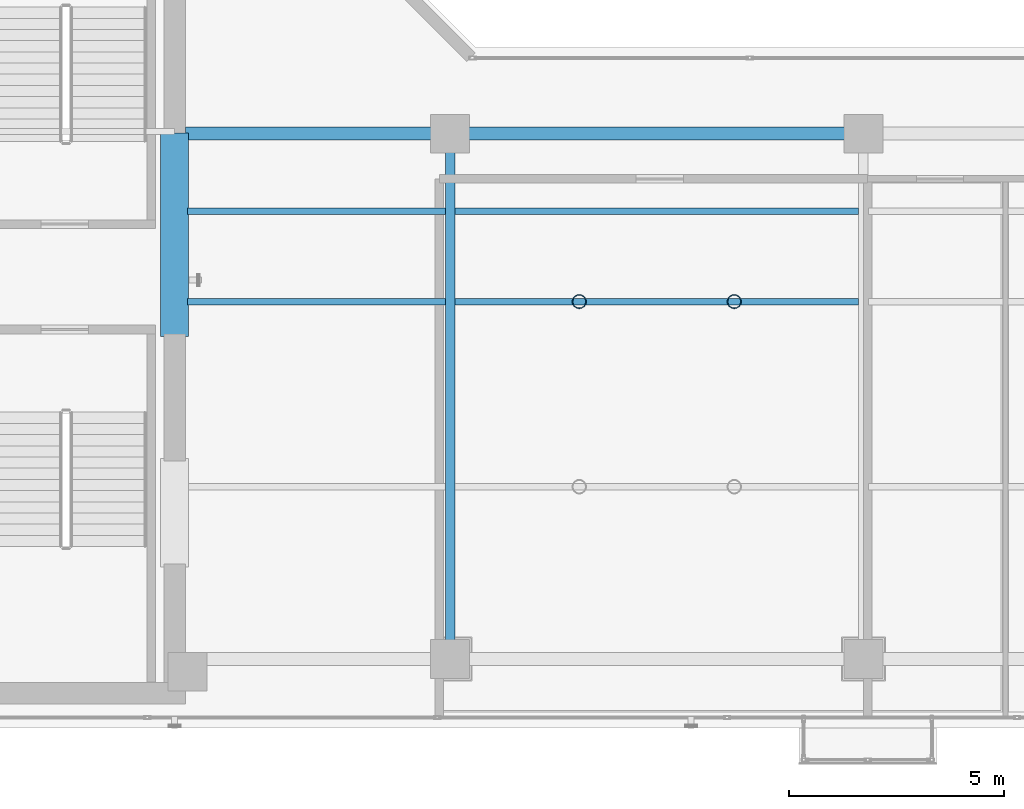
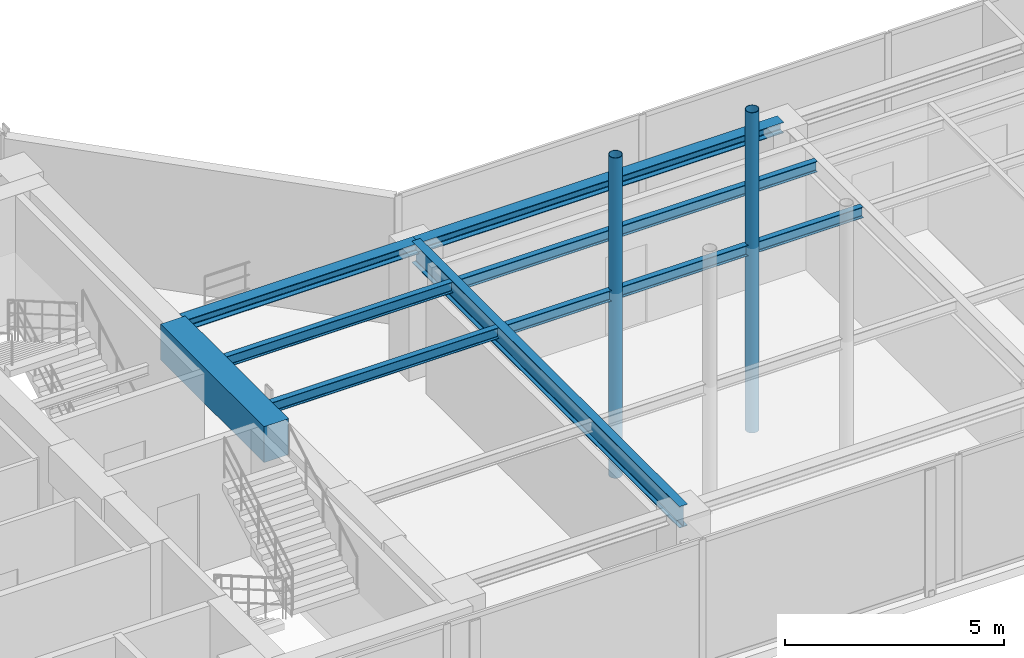
# One storey, part 8 of 32: 8 beams, 2 members.
"""IFC4 building model written with IfcOpenShell, lengths in metres."""

from ifc_helpers import new_model, si_unit, direction, frame, origin, origin_2d, place, context, subcontext, project, spatial, rectangle, hollow_circle, i_section, extrude, material, material_profile, profile_set, type_object, element, save


model = new_model("IFC4")

# Units and contexts
model_context = context("Model", 3, precision=1e-05, world=origin(), true_north=direction((0.0, 1.0)))
body_context = subcontext(model_context, "Body", "Model", "MODEL_VIEW")
ifc_project = project(units=[si_unit("LENGTHUNIT", "METRE"), si_unit("AREAUNIT", "SQUARE_METRE"), si_unit("VOLUMEUNIT", "CUBIC_METRE"), si_unit("PLANEANGLEUNIT", "RADIAN"), si_unit("MASSUNIT", "GRAM", prefix="KILO")], contexts=[model_context])

# Site, building, storey
site_placement = place(None, origin())
site = spatial("IfcSite", under=ifc_project, at=site_placement, CompositionType="ELEMENT")
building_placement = place(site_placement, origin())
building = spatial("IfcBuilding", under=site, at=building_placement, Name="Kolvaren Waterfront Exchange", CompositionType="ELEMENT")
storey_placement = place(building_placement, frame((0.0, 0.0, 348.10009765625)))
storey = spatial("IfcBuildingStorey", under=building, at=storey_placement, Name="L89", CompositionType="ELEMENT", Elevation=348.10009765625)

# Beams
ifc_material_1 = material(Name="Steel S355", Category="steel")
ifc_material_profile_1 = material_profile(ifc_material_1, i_section(OverallWidth=0.300048828125, OverallDepth=0.300048828125, WebThickness=0.010986328125, FlangeThickness=0.01904296875, FilletRadius=0.027099609375, at=origin_2d()), Name="HEB300")
ifc_profile_set_1 = profile_set([ifc_material_profile_1], Name="Steel S355")
beam_type_1 = type_object("IfcBeamType", Name="STR-BM-HEB300", PredefinedType="SPANDREL", material=ifc_profile_set_1)
beam_1_placement = place(storey_placement, frame((21.050048828125, 17.39990234375, 3.369873046875), z_axis=(1.0, 0.0, 0.0), x_axis=(0.0, 1.0, 0.0)))
element("IfcBeam", 1, at=beam_1_placement, inside=storey, type_object=beam_type_1, Name="L89 east-arm spandrel N1", PredefinedType="SPANDREL", context=body_context, shape_type="SweptSolid", body=[
    extrude(i_section(OverallWidth=0.300048828125, OverallDepth=0.300048828125, WebThickness=0.010986328125, FlangeThickness=0.01904296875, FilletRadius=0.027099609375, at=origin_2d()), origin(), (0.0, 0.0, 1.0), 6.14990234375),
])
beam_2_placement = place(storey_placement, frame((27.199951171875, 17.39990234375, 3.369873046875), z_axis=(1.0, 0.0, 0.0), x_axis=(0.0, 1.0, 0.0)))
element("IfcBeam", 2, at=beam_2_placement, inside=storey, type_object=beam_type_1, Name="L89 east-arm spandrel N2", PredefinedType="SPANDREL", context=body_context, shape_type="SweptSolid", body=[
    extrude(i_section(OverallWidth=0.300048828125, OverallDepth=0.300048828125, WebThickness=0.010986328125, FlangeThickness=0.01904296875, FilletRadius=0.027099609375, at=origin_2d()), origin(), (0.0, 0.0, 1.0), 9.60009765625),
])
ifc_material_profile_2 = material_profile(ifc_material_1, i_section(OverallWidth=0.14990234375, OverallDepth=0.300048828125, WebThickness=0.007080078125, FlangeThickness=0.0107421875, FilletRadius=0.014892578125, at=origin_2d()), Name="IPE300")
ifc_profile_set_2 = profile_set([ifc_material_profile_2], Name="Steel S355")
beam_type_2 = type_object("IfcBeamType", Name="STR-BM-IPE300", PredefinedType="JOIST", material=ifc_profile_set_2)
for number, where, z_axis, x_axis, name in (
    (3, (21.10009765625, 13.5, 3.369873046875), (1.0, 0.0, 0.0), (0.0, 1.0, 0.0), "L89 east-arm composite joist 1A"),
    (4, (21.10009765625, 15.60009765625, 3.369873046875), (1.0, 0.0, 0.0), (0.0, 1.0, 0.0), "L89 east-arm composite joist 1C"),
):
    element("IfcBeam", number, at=place(storey_placement, frame(where, z_axis=z_axis, x_axis=x_axis)), inside=storey, type_object=beam_type_2, Name=name, PredefinedType="JOIST", context=body_context, shape_type="SweptSolid", body=[
        extrude(i_section(OverallWidth=0.14990234375, OverallDepth=0.300048828125, WebThickness=0.007080078125, FlangeThickness=0.0107421875, FilletRadius=0.014892578125, at=origin_2d()), origin(), (0.0, 0.0, 1.0), 5.98779296875),
    ])
for number, where, z_axis, x_axis, name in (
    (5, (27.31201171875, 13.5, 3.369873046875), (1.0, 0.0, 0.0), (0.0, 1.0, 0.0), "L89 east-arm composite joist 2A"),
    (6, (27.31201171875, 15.60009765625, 3.369873046875), (1.0, 0.0, 0.0), (0.0, 1.0, 0.0), "L89 east-arm composite joist 2C"),
):
    element("IfcBeam", number, at=place(storey_placement, frame(where, z_axis=z_axis, x_axis=x_axis)), inside=storey, type_object=beam_type_2, Name=name, PredefinedType="JOIST", context=body_context, shape_type="SweptSolid", body=[
        extrude(i_section(OverallWidth=0.14990234375, OverallDepth=0.300048828125, WebThickness=0.007080078125, FlangeThickness=0.0107421875, FilletRadius=0.014892578125, at=origin_2d()), origin(), (0.0, 0.0, 1.0), 9.3759765625),
    ])
ifc_material_profile_3 = material_profile(ifc_material_1, i_section(OverallWidth=0.219970703125, OverallDepth=0.60009765625, WebThickness=0.011962890625, FlangeThickness=0.01904296875, FilletRadius=0.02392578125, at=origin_2d()), Name="IPE600")
ifc_profile_set_3 = profile_set([ifc_material_profile_3], Name="Steel S355")
beam_type_3 = type_object("IfcBeamType", Name="STR-BM-IPE600", PredefinedType="BEAM", material=ifc_profile_set_3)
beam_3_placement = place(storey_placement, frame((27.199951171875, 5.199951171875, 3.219970703125), z_axis=(0.0, 1.0, 0.0), x_axis=(-1.0, 0.0, 0.0)))
element("IfcBeam", 7, at=beam_3_placement, inside=storey, type_object=beam_type_3, Name="L89 east-arm transverse girder X27", PredefinedType="BEAM", context=body_context, shape_type="SweptSolid", body=[
    extrude(i_section(OverallWidth=0.219970703125, OverallDepth=0.60009765625, WebThickness=0.011962890625, FlangeThickness=0.01904296875, FilletRadius=0.02392578125, at=origin_2d()), origin(), (0.0, 0.0, 1.0), 12.199951171875),
])
ifc_material_2 = material(Name="Concrete C60/75", Category="concrete")
ifc_material_profile_4 = material_profile(ifc_material_2, rectangle(XDim=0.64990234375, YDim=1.0, at=origin_2d()), Name="RC-CB-1000x650")
ifc_profile_set_4 = profile_set([ifc_material_profile_4], Name="Concrete C60/75")
beam_type_4 = type_object("IfcBeamType", Name="STR-CB-1000", PredefinedType="SPANDREL", material=ifc_profile_set_4)
beam_4_placement = place(storey_placement, frame((20.800048828125, 12.68994140625, 3.02001953125), z_axis=(0.0, 1.0, 0.0), x_axis=(-1.0, 0.0, 0.0)))
element("IfcBeam", 8, at=beam_4_placement, inside=storey, type_object=beam_type_4, Name="L89 core coupling beam 2", PredefinedType="SPANDREL", context=body_context, shape_type="SweptSolid", body=[
    extrude(rectangle(XDim=0.64990234375, YDim=1.0, at=origin_2d()), origin(), (0.0, 0.0, 1.0), 4.719970703125),
])

# Members
ifc_material_3 = material(Name="Steel S460", Category="steel")
ifc_material_profile_5 = material_profile(ifc_material_3, hollow_circle(Radius=0.161865234375, WallThickness=0.012451171875, at=origin_2d()), Name="CHS323.9x12.5")
ifc_profile_set_5 = profile_set([ifc_material_profile_5], Name="Steel S460")
member_type = type_object("IfcMemberType", Name="STR-ST-CHS323", PredefinedType="STRUT", material=ifc_profile_set_5)
for number, where, z_axis, x_axis, name in (
    (9, (30.199951171875, 13.5, -1.7001953125), (0.0, 0.0, 1.0), (1.0, 0.0, 0.0), "Crown 520t TUNED MASS DAMPER pendulum hanger 3"),
    (10, (33.800048828125, 13.5, -1.7001953125), (0.0, 0.0, 1.0), (1.0, 0.0, 0.0), "Crown 520t TUNED MASS DAMPER pendulum hanger 4"),
):
    element("IfcMember", number, at=place(storey_placement, frame(where, z_axis=z_axis, x_axis=x_axis)), inside=storey, type_object=member_type, Name=name, PredefinedType="STRUT", context=body_context, shape_type="SweptSolid", body=[
        extrude(hollow_circle(Radius=0.161865234375, WallThickness=0.012451171875, at=origin_2d()), origin(), (0.0, 0.0, 1.0), 8.920166015625),
    ])

save(model, "model.ifc")
